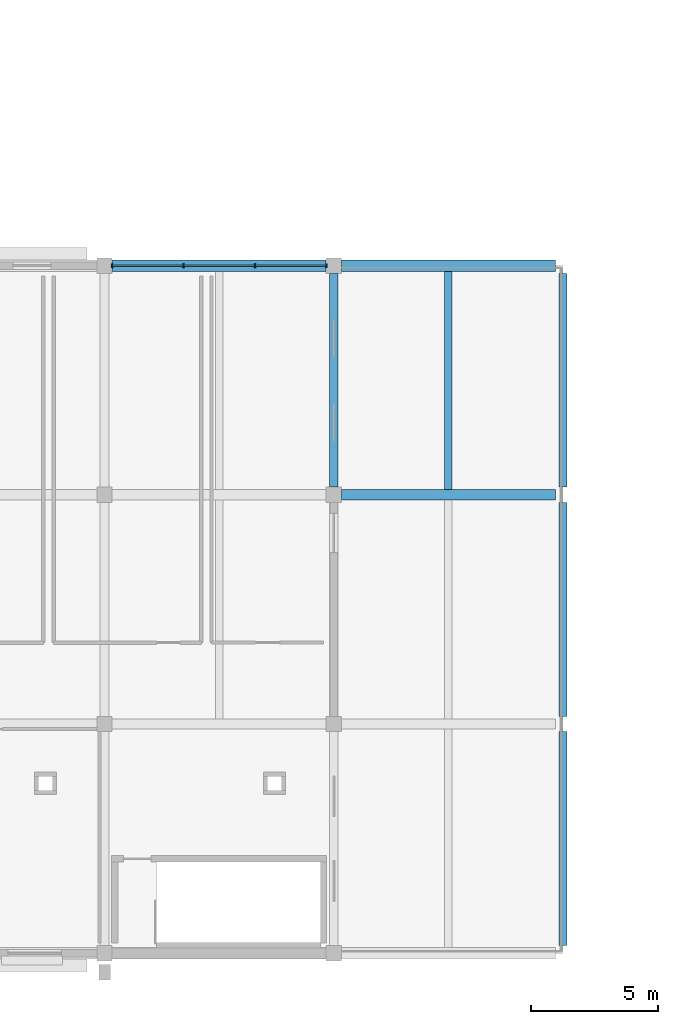
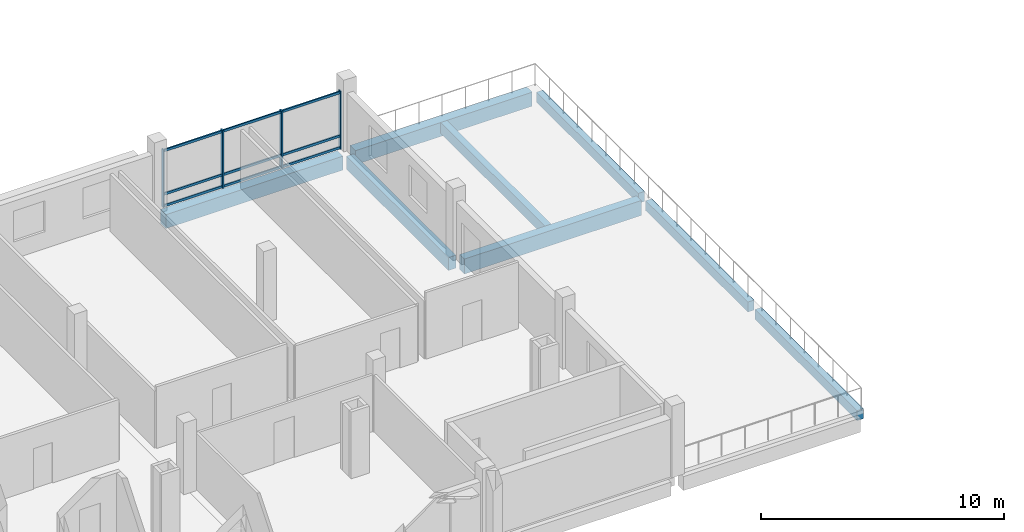
# One storey, part 23 of 163: 13 members, 8 beams, 1 element without a shape of its own.
"""IFC4 building model written with IfcOpenShell, lengths in metres."""

import ifcopenshell
import ifcopenshell.guid

model = None  # the IFC model being written
_history = None  # IfcOwnerHistory: only IFC2X3 demands one
_inside = {}  # id of a spatial element -> (the spatial element, [elements in it])
_under = {}  # id of a project, library or spatial element -> (it, [spatial elements below it])
_declared = {}  # id of a project -> (the project, [libraries it declares])
_typed = {}  # id of a type object -> (the type object, [elements of that type])
_made_of = {}  # id of a material, layer set ... -> (it, [elements and type objects made of it])


def new_model(schema):
    """Start an empty IFC model of exactly this schema.

    Asked for "IFC4X3", IfcOpenShell would pick the latest addendum, in which some entities
    have other attributes; the version numbers below select the first issue.
    IFC2X3 requires an IfcOwnerHistory on every rooted entity: one is made here for all.
    """
    global model, _history
    if schema == "IFC4X3":
        model = ifcopenshell.file(schema_version=(4, 3, 0, 0))
    else:
        model = ifcopenshell.file(schema=schema)
    _inside.clear()
    _under.clear()
    _declared.clear()
    _typed.clear()
    _made_of.clear()
    _history = None
    if model.schema == "IFC2X3":
        org = make("IfcOrganization", Name="unknown")
        user = make(
            "IfcPersonAndOrganization",
            ThePerson=make("IfcPerson", FamilyName="unknown"),
            TheOrganization=org,
        )
        app = make(
            "IfcApplication",
            ApplicationDeveloper=org,
            Version="unknown",
            ApplicationFullName="unknown",
            ApplicationIdentifier="unknown",
        )
        _history = make(
            "IfcOwnerHistory",
            OwningUser=user,
            OwningApplication=app,
            ChangeAction="ADDED",
            CreationDate=0,
        )
    return model


def make(cls, **values):
    """One entity of the class cls with the attributes given. An attribute that is None is left unset."""
    return model.create_entity(
        cls, **{name: value for name, value in values.items() if value is not None}
    )


def rooted(cls, **values):
    """An entity with a GlobalId (a new one), such as an element, a storey or a relation."""
    return make(cls, GlobalId=ifcopenshell.guid.new(), OwnerHistory=_history, **values)


def si_unit(unit_type, name, prefix=None):
    """IfcSIUnit, for example si_unit("LENGTHUNIT", "METRE", prefix="MILLI")."""
    return make("IfcSIUnit", UnitType=unit_type, Prefix=prefix, Name=name)


def assignment(units):
    """IfcUnitAssignment: the units of a project."""
    return None if units is None else make("IfcUnitAssignment", Units=units)


def point(xyz):
    """IfcCartesianPoint."""
    return None if xyz is None else make("IfcCartesianPoint", Coordinates=xyz)


def direction(xyz):
    """IfcDirection."""
    return None if xyz is None else make("IfcDirection", DirectionRatios=xyz)


def frame(location, z_axis=None, x_axis=None):
    """IfcAxis2Placement3D, a coordinate frame: its origin and axes. An axis left out is left unset."""
    return make(
        "IfcAxis2Placement3D",
        Location=point(location),
        Axis=direction(z_axis),
        RefDirection=direction(x_axis),
    )


def frame_2d(location, x_axis=None):
    """IfcAxis2Placement2D, a coordinate frame in the plane: its origin and x axis."""
    return make(
        "IfcAxis2Placement2D", Location=point(location), RefDirection=direction(x_axis)
    )


def origin():
    """The frame at (0, 0, 0) with its axes left unset."""
    return frame((0.0, 0.0, 0.0))


def origin_2d():
    """The frame at (0, 0) in the plane with its x axis left unset."""
    return frame_2d((0.0, 0.0))


def place(relative_to, where):
    """IfcLocalPlacement: puts the frame where relative to a parent placement (None: the world)."""
    return make(
        "IfcLocalPlacement", PlacementRelTo=relative_to, RelativePlacement=where
    )


def context(
    kind, dimensions, precision=None, world=None, true_north=None, identifier=None
):
    """IfcGeometricRepresentationContext, for example the 3D "Model" context."""
    return make(
        "IfcGeometricRepresentationContext",
        ContextIdentifier=identifier,
        ContextType=kind,
        CoordinateSpaceDimension=dimensions,
        Precision=precision,
        WorldCoordinateSystem=world,
        TrueNorth=true_north,
    )


def subcontext(parent, identifier, kind, view, scale=None):
    """IfcGeometricRepresentationSubContext, for example "Body" below "Model"."""
    return make(
        "IfcGeometricRepresentationSubContext",
        ContextIdentifier=identifier,
        ContextType=kind,
        ParentContext=parent,
        TargetScale=scale,
        TargetView=view,
    )


def project(units=None, contexts=None):
    """IfcProject with its units and contexts."""
    return rooted(
        "IfcProject",
        Name="project",
        RepresentationContexts=contexts,
        UnitsInContext=assignment(units),
    )


def spatial(cls, under=None, at=None, **own):
    """A site, building, storey or space (cls), placed at a placement, below another one or the project."""
    s = rooted(cls, ObjectPlacement=at, **own)
    if under is not None:
        _under.setdefault(under.id(), (under, []))[1].append(s)
    return s


def profile(cls, at=None, kind="AREA", **sizes):
    """A parametric profile (cls). Its sizes go by their IFC names, for example OverallWidth=200.0."""
    return make(cls, ProfileType=kind, Position=at, **sizes)


def rectangle(**sizes):
    """IfcRectangleProfileDef."""
    return profile("IfcRectangleProfileDef", **sizes)


def extrude(swept, where, along, depth):
    """IfcExtrudedAreaSolid: the profile swept, set in the frame where, extruded along a direction by depth."""
    return make(
        "IfcExtrudedAreaSolid",
        SweptArea=swept,
        Position=where,
        ExtrudedDirection=direction(along),
        Depth=depth,
    )


def shape(context_of_items, identifier, shape_type, items):
    """IfcShapeRepresentation: the items that make up one representation, for example the "Body"."""
    return make(
        "IfcShapeRepresentation",
        ContextOfItems=context_of_items,
        RepresentationIdentifier=identifier,
        RepresentationType=shape_type,
        Items=items,
    )


def material(Name=None, Category=None):
    """IfcMaterial."""
    return make("IfcMaterial", Name=Name, Category=Category)


def material_profile(
    of_material, cross_section, Name=None, Category=None, Priority=None
):
    """IfcMaterialProfile: a cross section and its material."""
    return make(
        "IfcMaterialProfile",
        Name=Name,
        Material=of_material,
        Profile=cross_section,
        Priority=Priority,
        Category=Category,
    )


def profile_set(profiles, Name=None, composite=None):
    """IfcMaterialProfileSet."""
    return make(
        "IfcMaterialProfileSet",
        Name=Name,
        MaterialProfiles=profiles,
        CompositeProfile=composite,
    )


def made_of(thing, what):
    """Note that an element or type object is made of a material, layer set ...; save() writes the relation."""
    if what is not None:
        _made_of.setdefault(what.id(), (what, []))[1].append(thing)
    return thing


def type_object(cls, material=None, **own):
    """A type object (cls), such as IfcWallType, which elements share."""
    return made_of(rooted(cls, **own), material)


def element(
    cls,
    number,
    at=None,
    inside=None,
    cuts=None,
    type_object=None,
    material=None,
    context=None,
    identifier="Body",
    shape_type=None,
    held_by="IfcProductDefinitionShape",
    body=None,
    shapes=None,
    **own,
):
    """One element of the class cls, such as IfcWall. Its Tag is "e" and its number.

    at: its placement. inside: the storey or other place that contains it. cuts: it is an
    opening in that element (IfcRelVoidsElement). A single representation is given by context,
    identifier, shape_type and body (its items); several are given by shapes. held_by: the class
    of the entity that holds the representations. save() writes the other relations.
    """
    e = rooted(cls, Tag="e%d" % number, ObjectPlacement=at, **own)
    if body is not None:
        shapes = [shape(context, identifier, shape_type, body)]
    if shapes is not None:
        e.Representation = make(held_by, Representations=shapes)
    if inside is not None:
        _inside.setdefault(inside.id(), (inside, []))[1].append(e)
    if cuts is not None:
        rooted(
            "IfcRelVoidsElement", RelatingBuildingElement=cuts, RelatedOpeningElement=e
        )
    if type_object is not None:
        _typed.setdefault(type_object.id(), (type_object, []))[1].append(e)
    return made_of(e, material)


def aggregate(whole, parts):
    """IfcRelAggregates: a whole, such as a stair, and the parts it consists of."""
    return rooted("IfcRelAggregates", RelatingObject=whole, RelatedObjects=parts)


def save(model, path):
    """Write the relations noted so far, then the file.

    IfcRelAggregates (storeys below a building ...), IfcRelContainedInSpatialStructure (elements
    in a storey), IfcRelDefinesByType, IfcRelAssociatesMaterial and IfcRelDeclares: one each for
    every whole, place, type object, material and project.
    """
    for whole, parts in _under.values():
        aggregate(whole, parts)
    for where, things in _inside.values():
        rooted(
            "IfcRelContainedInSpatialStructure",
            RelatedElements=things,
            RelatingStructure=where,
        )
    for kind, things in _typed.values():
        rooted("IfcRelDefinesByType", RelatedObjects=things, RelatingType=kind)
    for what, things in _made_of.values():
        rooted("IfcRelAssociatesMaterial", RelatedObjects=things, RelatingMaterial=what)
    for by, libraries in _declared.values():
        rooted("IfcRelDeclares", RelatingContext=by, RelatedDefinitions=libraries)
    model.write(path)


model = new_model("IFC4")

# Units and contexts
model_context = context("Model", 3, precision=1e-05, world=origin(), true_north=direction((0.0, 1.0)))
body_context = subcontext(model_context, "Body", "Model", "MODEL_VIEW")
ifc_project = project(units=[si_unit("LENGTHUNIT", "METRE"), si_unit("AREAUNIT", "SQUARE_METRE"), si_unit("VOLUMEUNIT", "CUBIC_METRE"), si_unit("PLANEANGLEUNIT", "RADIAN"), si_unit("MASSUNIT", "GRAM", prefix="KILO")], contexts=[model_context])

# Site, building, storey
site_placement = place(None, origin())
site = spatial("IfcSite", under=ifc_project, at=site_placement, CompositionType="ELEMENT")
building_placement = place(site_placement, origin())
building = spatial("IfcBuilding", under=site, at=building_placement, Name="Tharagai Park Tramway Depot", CompositionType="ELEMENT")
storey_placement = place(building_placement, frame((0.0, 0.0, 8.39990234375)))
storey = spatial("IfcBuildingStorey", under=building, at=storey_placement, Name="L02", CompositionType="ELEMENT", Elevation=8.39990234375)

# Beams
ifc_material_1 = material(Name="Concrete M35", Category="concrete")
ifc_material_profile_1 = material_profile(ifc_material_1, rectangle(XDim=0.35009765625, YDim=0.64990234375, at=origin_2d()), Name="RC 350x650")
ifc_profile_set_1 = profile_set([ifc_material_profile_1], Name="Concrete M35")
beam_type_1 = type_object("IfcBeamType", Name="BM-13", PredefinedType="BEAM", material=ifc_profile_set_1)
beam_1_placement = place(storey_placement, frame((90.0, 18.300048828125, -0.574951171875), z_axis=(0.0, 1.0, 0.0), x_axis=(-1.0, 0.0, 0.0)))
element("IfcBeam", 1, at=beam_1_placement, inside=storey, type_object=beam_type_1, Name="L02 Grid Beam BM-13", PredefinedType="BEAM", context=body_context, shape_type="SweptSolid", body=[
    extrude(rectangle(XDim=0.35009765625, YDim=0.64990234375, at=origin_2d()), origin(), (0.0, 0.0, 1.0), 8.39990234375),
])
ifc_material_profile_2 = material_profile(ifc_material_1, rectangle(XDim=0.39990234375, YDim=0.75, at=origin_2d()), Name="RC 400x750")
ifc_profile_set_2 = profile_set([ifc_material_profile_2], Name="Concrete M35")
beam_type_2 = type_object("IfcBeamType", Name="BM-19", PredefinedType="BEAM", material=ifc_profile_set_2)
beam_2_placement = place(storey_placement, frame((90.300048828125, 18.0, -0.56494140625), z_axis=(1.0, 0.0, 0.0), x_axis=(0.0, 1.0, 0.0)))
element("IfcBeam", 2, at=beam_2_placement, inside=storey, type_object=beam_type_2, Name="L02 Grid Beam BM-19", PredefinedType="BEAM", context=body_context, shape_type="SweptSolid", body=[
    extrude(rectangle(XDim=0.39990234375, YDim=0.75, at=origin_2d()), origin(), (0.0, 0.0, 1.0), 8.39990234375),
])

# Curtain wall, members
ifc_material_2 = material(Name="Anodised aluminium", Category="aluminium")
curtain_wall_type = type_object("IfcCurtainWallType", Name="CW-02", PredefinedType="NOTDEFINED", material=ifc_material_2)
curtain_wall_placement = place(storey_placement, origin())
curtain_wall = element("IfcCurtainWall", 3, at=curtain_wall_placement, inside=storey, type_object=curtain_wall_type, Name="L02 V4 Gothic Mullioned Curtain Wall CW-02", PredefinedType="NOTDEFINED")
ifc_material_profile_3 = material_profile(ifc_material_2, rectangle(XDim=0.06494140625, YDim=0.1201171875, at=origin_2d()), Name="ALU 65x120")
ifc_profile_set_3 = profile_set([ifc_material_profile_3], Name="Anodised aluminium")
member_type_1 = type_object("IfcMemberType", Name="CM-01", PredefinedType="USERDEFINED", material=ifc_profile_set_3)
member_1_placement = place(storey_placement, frame((81.304931640625, 27.0, 0.06005859375), z_axis=(1.0, 0.0, 0.0), x_axis=(0.0, 1.0, 0.0)))
member_1 = element("IfcMember", 4, at=member_1_placement, type_object=member_type_1, Name="L02 V4 Gothic Mullioned Curtain Wall Transom 1.1", ObjectType="TRANSOM", PredefinedType="USERDEFINED", context=body_context, shape_type="SweptSolid", body=[
    extrude(rectangle(XDim=0.06494140625, YDim=0.1201171875, at=origin_2d()), origin(), (0.0, 0.0, 1.0), 2.77685546875),
])
member_2_placement = place(storey_placement, frame((81.304931640625, 27.0, 0.650146484375), z_axis=(1.0, 0.0, 0.0), x_axis=(0.0, 1.0, 0.0)))
member_2 = element("IfcMember", 5, at=member_2_placement, type_object=member_type_1, Name="L02 V4 Gothic Mullioned Curtain Wall Transom 1.2", ObjectType="TRANSOM", PredefinedType="USERDEFINED", context=body_context, shape_type="SweptSolid", body=[
    extrude(rectangle(XDim=0.06494140625, YDim=0.1201171875, at=origin_2d()), origin(), (0.0, 0.0, 1.0), 2.77685546875),
])
member_3_placement = place(storey_placement, frame((81.304931640625, 27.0, 2.830078125), z_axis=(1.0, 0.0, 0.0), x_axis=(0.0, 1.0, 0.0)))
member_3 = element("IfcMember", 6, at=member_3_placement, type_object=member_type_1, Name="L02 V4 Gothic Mullioned Curtain Wall Transom 1.3", ObjectType="TRANSOM", PredefinedType="USERDEFINED", context=body_context, shape_type="SweptSolid", body=[
    extrude(rectangle(XDim=0.06494140625, YDim=0.1201171875, at=origin_2d()), origin(), (0.0, 0.0, 1.0), 2.77685546875),
])
member_4_placement = place(storey_placement, frame((84.111572265625, 27.0, 0.06005859375), z_axis=(1.0, 0.0, 0.0), x_axis=(0.0, 1.0, 0.0)))
member_4 = element("IfcMember", 7, at=member_4_placement, type_object=member_type_1, Name="L02 V4 Gothic Mullioned Curtain Wall Transom 2.1", ObjectType="TRANSOM", PredefinedType="USERDEFINED", context=body_context, shape_type="SweptSolid", body=[
    extrude(rectangle(XDim=0.06494140625, YDim=0.1201171875, at=origin_2d()), origin(), (0.0, 0.0, 1.0), 2.77685546875),
])
member_5_placement = place(storey_placement, frame((84.111572265625, 27.0, 0.650146484375), z_axis=(1.0, 0.0, 0.0), x_axis=(0.0, 1.0, 0.0)))
member_5 = element("IfcMember", 8, at=member_5_placement, type_object=member_type_1, Name="L02 V4 Gothic Mullioned Curtain Wall Transom 2.2", ObjectType="TRANSOM", PredefinedType="USERDEFINED", context=body_context, shape_type="SweptSolid", body=[
    extrude(rectangle(XDim=0.06494140625, YDim=0.1201171875, at=origin_2d()), origin(), (0.0, 0.0, 1.0), 2.77685546875),
])
member_6_placement = place(storey_placement, frame((84.111572265625, 27.0, 2.830078125), z_axis=(1.0, 0.0, 0.0), x_axis=(0.0, 1.0, 0.0)))
member_6 = element("IfcMember", 9, at=member_6_placement, type_object=member_type_1, Name="L02 V4 Gothic Mullioned Curtain Wall Transom 2.3", ObjectType="TRANSOM", PredefinedType="USERDEFINED", context=body_context, shape_type="SweptSolid", body=[
    extrude(rectangle(XDim=0.06494140625, YDim=0.1201171875, at=origin_2d()), origin(), (0.0, 0.0, 1.0), 2.77685546875),
])
member_7_placement = place(storey_placement, frame((86.918212890625, 27.0, 0.06005859375), z_axis=(1.0, 0.0, 0.0), x_axis=(0.0, 1.0, 0.0)))
member_7 = element("IfcMember", 10, at=member_7_placement, type_object=member_type_1, Name="L02 V4 Gothic Mullioned Curtain Wall Transom 3.1", ObjectType="TRANSOM", PredefinedType="USERDEFINED", context=body_context, shape_type="SweptSolid", body=[
    extrude(rectangle(XDim=0.06494140625, YDim=0.1201171875, at=origin_2d()), origin(), (0.0, 0.0, 1.0), 2.77685546875),
])
member_8_placement = place(storey_placement, frame((86.918212890625, 27.0, 0.650146484375), z_axis=(1.0, 0.0, 0.0), x_axis=(0.0, 1.0, 0.0)))
member_8 = element("IfcMember", 11, at=member_8_placement, type_object=member_type_1, Name="L02 V4 Gothic Mullioned Curtain Wall Transom 3.2", ObjectType="TRANSOM", PredefinedType="USERDEFINED", context=body_context, shape_type="SweptSolid", body=[
    extrude(rectangle(XDim=0.06494140625, YDim=0.1201171875, at=origin_2d()), origin(), (0.0, 0.0, 1.0), 2.77685546875),
])
member_9_placement = place(storey_placement, frame((86.918212890625, 27.0, 2.830078125), z_axis=(1.0, 0.0, 0.0), x_axis=(0.0, 1.0, 0.0)))
member_9 = element("IfcMember", 12, at=member_9_placement, type_object=member_type_1, Name="L02 V4 Gothic Mullioned Curtain Wall Transom 3.3", ObjectType="TRANSOM", PredefinedType="USERDEFINED", context=body_context, shape_type="SweptSolid", body=[
    extrude(rectangle(XDim=0.06494140625, YDim=0.1201171875, at=origin_2d()), origin(), (0.0, 0.0, 1.0), 2.77685546875),
])
ifc_material_profile_4 = material_profile(ifc_material_2, rectangle(XDim=0.06494140625, YDim=0.14990234375, at=origin_2d()), Name="ALU 65x150")
ifc_profile_set_4 = profile_set([ifc_material_profile_4], Name="Anodised aluminium")
member_type_2 = type_object("IfcMemberType", Name="CM-03", PredefinedType="MULLION", material=ifc_profile_set_4)
member_10_placement = place(storey_placement, frame((81.2900390625, 27.0, -0.0048828125), z_axis=(0.0, 0.0, 1.0), x_axis=(1.0, 0.0, 0.0)))
member_10 = element("IfcMember", 13, at=member_10_placement, type_object=member_type_2, Name="L02 V4 Gothic Mullioned Curtain Wall Mullion 1", PredefinedType="MULLION", context=body_context, shape_type="SweptSolid", body=[
    extrude(rectangle(XDim=0.06494140625, YDim=0.14990234375, at=origin_2d()), origin(), (0.0, 0.0, 1.0), 2.919921875),
])
member_11_placement = place(storey_placement, frame((84.0966796875, 27.0, -0.0048828125), z_axis=(0.0, 0.0, 1.0), x_axis=(1.0, 0.0, 0.0)))
member_11 = element("IfcMember", 14, at=member_11_placement, type_object=member_type_2, Name="L02 V4 Gothic Mullioned Curtain Wall Mullion 2", PredefinedType="MULLION", context=body_context, shape_type="SweptSolid", body=[
    extrude(rectangle(XDim=0.06494140625, YDim=0.14990234375, at=origin_2d()), origin(), (0.0, 0.0, 1.0), 2.919921875),
])
member_12_placement = place(storey_placement, frame((86.9033203125, 27.0, -0.0048828125), z_axis=(0.0, 0.0, 1.0), x_axis=(1.0, 0.0, 0.0)))
member_12 = element("IfcMember", 15, at=member_12_placement, type_object=member_type_2, Name="L02 V4 Gothic Mullioned Curtain Wall Mullion 3", PredefinedType="MULLION", context=body_context, shape_type="SweptSolid", body=[
    extrude(rectangle(XDim=0.06494140625, YDim=0.14990234375, at=origin_2d()), origin(), (0.0, 0.0, 1.0), 2.919921875),
])
member_13_placement = place(storey_placement, frame((89.7099609375, 27.0, -0.0048828125), z_axis=(0.0, 0.0, 1.0), x_axis=(1.0, 0.0, 0.0)))
member_13 = element("IfcMember", 16, at=member_13_placement, type_object=member_type_2, Name="L02 V4 Gothic Mullioned Curtain Wall Mullion 4", PredefinedType="MULLION", context=body_context, shape_type="SweptSolid", body=[
    extrude(rectangle(XDim=0.06494140625, YDim=0.14990234375, at=origin_2d()), origin(), (0.0, 0.0, 1.0), 2.919921875),
])
aggregate(curtain_wall, [member_10, member_11, member_12, member_13, member_1, member_2, member_3, member_4, member_5, member_6, member_7, member_8, member_9])

# Beams
ifc_material_profile_5 = material_profile(ifc_material_1, rectangle(XDim=0.300048828125, YDim=0.550048828125, at=origin_2d()), Name="RC 300x550")
ifc_profile_set_5 = profile_set([ifc_material_profile_5], Name="Concrete M35")
beam_type_3 = type_object("IfcBeamType", Name="JT-06", PredefinedType="JOIST", material=ifc_profile_set_5)
beam_3_placement = place(storey_placement, frame((94.5, 18.199951171875, -0.46484375), z_axis=(0.0, 1.0, 0.0), x_axis=(-1.0, 0.0, 0.0)))
element("IfcBeam", 17, at=beam_3_placement, inside=storey, type_object=beam_type_3, Name="L02 Secondary Joist JT-06", PredefinedType="JOIST", context=body_context, shape_type="SweptSolid", body=[
    extrude(rectangle(XDim=0.300048828125, YDim=0.550048828125, at=origin_2d()), origin(), (0.0, 0.0, 1.0), 8.574951171875),
])
ifc_material_profile_6 = material_profile(ifc_material_1, rectangle(XDim=0.449951171875, YDim=0.699951171875, at=origin_2d()), Name="RC 450x700")
ifc_profile_set_6 = profile_set([ifc_material_profile_6], Name="Concrete M35")
beam_type_4 = type_object("IfcBeamType", Name="SP-01", PredefinedType="SPANDREL", material=ifc_profile_set_6)
for number, where, z_axis, x_axis, name in (
    (18, (81.300048828125, 27.0, -0.599853515625), (1.0, 0.0, 0.0), (0.0, 1.0, 0.0), "L02 Grid Beam SP-01"),
    (19, (90.300048828125, 27.0, -0.539794921875), (1.0, 0.0, 0.0), (0.0, 1.0, 0.0), "L02 Grid Beam SP-01"),
):
    element("IfcBeam", number, at=place(storey_placement, frame(where, z_axis=z_axis, x_axis=x_axis)), inside=storey, type_object=beam_type_4, Name=name, PredefinedType="SPANDREL", context=body_context, shape_type="SweptSolid", body=[
        extrude(rectangle(XDim=0.449951171875, YDim=0.699951171875, at=origin_2d()), origin(), (0.0, 0.0, 1.0), 8.39990234375),
    ])
ifc_material_profile_7 = material_profile(ifc_material_1, rectangle(XDim=0.300048828125, YDim=0.5, at=origin_2d()), Name="RC 300x500")
ifc_profile_set_7 = profile_set([ifc_material_profile_7], Name="Concrete M35")
beam_type_5 = type_object("IfcBeamType", Name="SP-03", PredefinedType="SPANDREL", material=ifc_profile_set_7)
for number, where, z_axis, x_axis, name in (
    (20, (99.0, 0.300048828125, -0.43994140625), (0.0, 1.0, 0.0), (-1.0, 0.0, 0.0), "L02 Grid Beam SP-03"),
    (21, (99.0, 9.300048828125, -0.43994140625), (0.0, 1.0, 0.0), (-1.0, 0.0, 0.0), "L02 Grid Beam SP-03"),
    (22, (99.0, 18.300048828125, -0.43994140625), (0.0, 1.0, 0.0), (-1.0, 0.0, 0.0), "L02 Grid Beam SP-03"),
):
    element("IfcBeam", number, at=place(storey_placement, frame(where, z_axis=z_axis, x_axis=x_axis)), inside=storey, type_object=beam_type_5, Name=name, PredefinedType="SPANDREL", context=body_context, shape_type="SweptSolid", body=[
        extrude(rectangle(XDim=0.300048828125, YDim=0.5, at=origin_2d()), origin(), (0.0, 0.0, 1.0), 8.39990234375),
    ])

save(model, "model.ifc")
